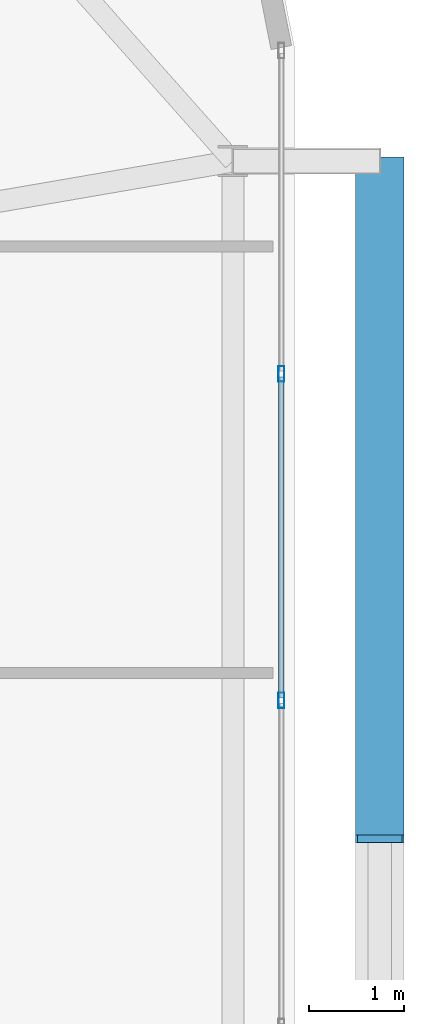
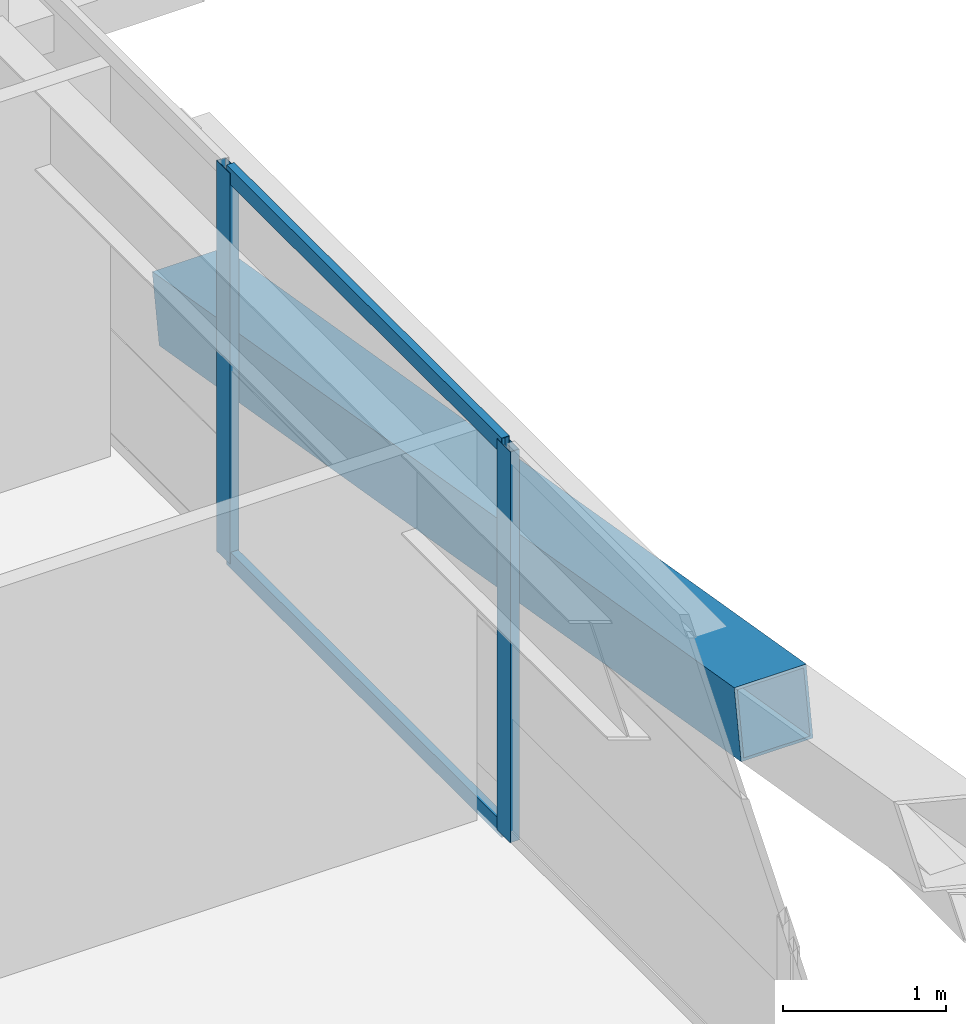
# One storey, part 32 of 59: 5 members, 1 element without a shape of its own.
"""IFC4 building model written with IfcOpenShell, lengths in metres."""

from ifc_helpers import new_model, si_unit, direction, frame, origin, origin_2d, place, context, subcontext, project, spatial, hollow_rectangle, extrude, source, transform, mapped, material, layer, layer_set, material_profile, profile_set, type_object, element, aggregate, save


model = new_model("IFC4")

# Units and contexts
model_context = context("Model", 3, precision=1e-05, world=origin(), true_north=direction((0.0, 1.0)))
body_context = subcontext(model_context, "Body", "Model", "MODEL_VIEW")
ifc_project = project(units=[si_unit("LENGTHUNIT", "METRE"), si_unit("AREAUNIT", "SQUARE_METRE"), si_unit("VOLUMEUNIT", "CUBIC_METRE"), si_unit("PLANEANGLEUNIT", "RADIAN"), si_unit("MASSUNIT", "GRAM", prefix="KILO")], contexts=[model_context])

# Site, building, storey
site_placement = place(None, origin())
site = spatial("IfcSite", under=ifc_project, at=site_placement, CompositionType="ELEMENT")
building_placement = place(site_placement, origin())
building = spatial("IfcBuilding", under=site, at=building_placement, Name="Taldren Reach Tower", CompositionType="ELEMENT")
storey_placement = place(building_placement, frame((0.0, 0.0, 23.10009765625)))
storey = spatial("IfcBuildingStorey", under=building, at=storey_placement, Name="L06", CompositionType="ELEMENT", Elevation=23.10009765625)

# Member
ifc_material_1 = material(Name="Steel Gr 450 (C450L0)", Category="steel")
ifc_material_profile_1 = material_profile(ifc_material_1, hollow_rectangle(XDim=0.510009765625, YDim=0.510009765625, WallThickness=0.02001953125, at=origin_2d()), Name="510x510x20.0SHS")
ifc_profile_set_1 = profile_set([ifc_material_profile_1], Name="Steel Gr 450 (C450L0)")
member_type_1 = type_object("IfcMemberType", Name="MB-EXO508", PredefinedType="BRACE", material=ifc_profile_set_1)
shared_shape_1 = source(origin(), body_context, "Body", "SweptSolid", [
    extrude(hollow_rectangle(XDim=0.510009765625, YDim=0.510009765625, WallThickness=0.02001953125, at=origin_2d()), origin(), (0.0, 0.0, 1.0), 7.252685546875),
])
member_1_placement = place(storey_placement, frame((65.89990234375, 34.300048828125, 0.219970703125), z_axis=(0.0, -0.985871360071, 0.167504213054), x_axis=(1.0, 0.0, 0.0)))
element("IfcMember", 1, at=member_1_placement, inside=storey, type_object=member_type_1, Name="Exoskeleton Diagrid Brace B1-E2 L06", PredefinedType="BRACE", context=body_context, shape_type="MappedRepresentation", body=[
    mapped(shared_shape_1, transform((0.0, 0.0, 0.0), scale=1.0)),
])

# Curtain wall, members
ifc_material_2 = material(Name="Aluminium and Low-E Glass Unitised System", Category="aluminium")
ifc_layer = layer(ifc_material_2, 0.159912109375)
ifc_layer_set = layer_set([ifc_layer], Name="Aluminium and Low-E Glass Unitised System")
curtain_wall_type = type_object("IfcCurtainWallType", Name="CW-SYS-2", PredefinedType="NOTDEFINED", material=ifc_layer_set)
curtain_wall_placement = place(storey_placement, origin())
curtain_wall = element("IfcCurtainWall", 2, at=curtain_wall_placement, inside=storey, type_object=curtain_wall_type, Name="Unitised curtain wall CW-L06-E", PredefinedType="NOTDEFINED")
ifc_material_3 = material(Name="Anodised Aluminium 6063-T6", Category="aluminium")
ifc_material_profile_2 = material_profile(ifc_material_3, hollow_rectangle(XDim=0.06494140625, YDim=0.1650390625, WallThickness=0.00390625, at=origin_2d()), Name="ALU-165x65x4RHS")
ifc_profile_set_2 = profile_set([ifc_material_profile_2], Name="Anodised Aluminium 6063-T6")
member_type_2 = type_object("IfcMemberType", Name="CW-MUL-165", PredefinedType="MULLION", material=ifc_profile_set_2)
shared_shape_2 = source(origin(), body_context, "Body", "SweptSolid", [
    extrude(hollow_rectangle(XDim=0.06494140625, YDim=0.1650390625, WallThickness=0.00390625, at=origin_2d()), origin(), (0.0, 0.0, 1.0), 2.929931640625),
])
member_2_placement = place(storey_placement, frame((64.860107421875, 28.611083984375, 0.0), z_axis=(0.0, 0.0, 1.0), x_axis=(-1.0, 0.0, 0.0)))
member_2 = element("IfcMember", 3, at=member_2_placement, type_object=member_type_2, Name="CW-2 mullion 8", PredefinedType="MULLION", context=body_context, shape_type="MappedRepresentation", body=[
    mapped(shared_shape_2, transform((0.0, 0.0, 0.0), scale=1.0)),
])
member_3_placement = place(storey_placement, frame((64.860107421875, 32.0556640625, 0.0), z_axis=(0.0, 0.0, 1.0), x_axis=(-1.0, 0.0, 0.0)))
member_3 = element("IfcMember", 4, at=member_3_placement, type_object=member_type_2, Name="CW-2 mullion 9", PredefinedType="MULLION", context=body_context, shape_type="MappedRepresentation", body=[
    mapped(shared_shape_2, transform((0.0, 0.0, 0.0), scale=1.0)),
])
ifc_material_profile_3 = material_profile(ifc_material_3, hollow_rectangle(XDim=0.054931640625, YDim=0.1201171875, WallThickness=0.0029296875, at=origin_2d()), Name="ALU-120x55x3RHS")
ifc_profile_set_3 = profile_set([ifc_material_profile_3], Name="Anodised Aluminium 6063-T6")
member_type_3 = type_object("IfcMemberType", Name="CW-TRN-135", PredefinedType="USERDEFINED", material=ifc_profile_set_3)
shared_shape_3 = source(origin(), body_context, "Body", "SweptSolid", [
    extrude(hollow_rectangle(XDim=0.054931640625, YDim=0.1201171875, WallThickness=0.0029296875, at=origin_2d()), origin(), (0.0, 0.0, 1.0), 3.37939453125),
])
member_4_placement = place(storey_placement, frame((64.860107421875, 28.6435546875, 0.02734375), z_axis=(0.0, 1.0, 0.0), x_axis=(-1.0, 0.0, 0.0)))
member_4 = element("IfcMember", 5, at=member_4_placement, type_object=member_type_3, Name="CW-2 transom 8.1", ObjectType="TRANSOM", PredefinedType="USERDEFINED", context=body_context, shape_type="MappedRepresentation", body=[
    mapped(shared_shape_3, transform((0.0, 0.0, 0.0), scale=1.0)),
])
member_5_placement = place(storey_placement, frame((64.860107421875, 28.6435546875, 2.90234375), z_axis=(0.0, 1.0, 0.0), x_axis=(-1.0, 0.0, 0.0)))
member_5 = element("IfcMember", 6, at=member_5_placement, type_object=member_type_3, Name="CW-2 transom 8.2", ObjectType="TRANSOM", PredefinedType="USERDEFINED", context=body_context, shape_type="MappedRepresentation", body=[
    mapped(shared_shape_3, transform((0.0, 0.0, 0.0), scale=1.0)),
])
aggregate(curtain_wall, [member_2, member_3, member_4, member_5])

save(model, "model.ifc")
